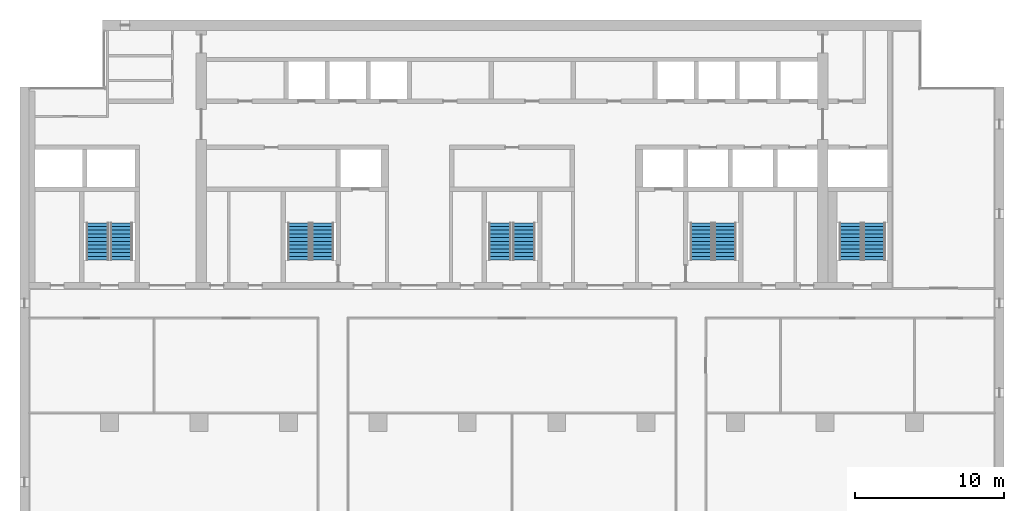
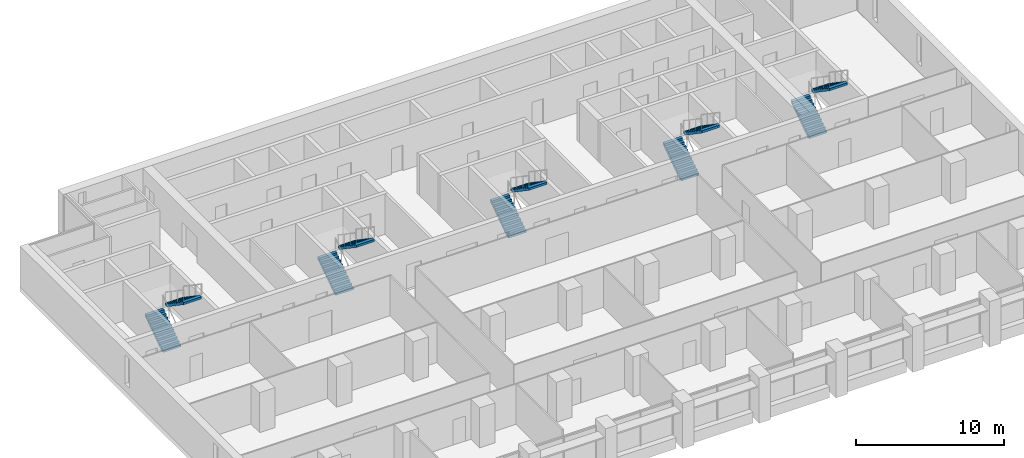
# One storey, part 13 of 17: 10 stair flights, 5 elements without a shape of their own.
"""IFC4 building model written with IfcOpenShell, lengths in metres."""

from ifc_helpers import new_model, si_unit, direction, frame, origin, place, context, subcontext, project, spatial, polyline, outline, extrude, material, type_object, element, aggregate, save


model = new_model("IFC4")

# Units and contexts
model_context = context("Model", 3, precision=1e-05, world=origin(), true_north=direction((0.0, 1.0)))
body_context = subcontext(model_context, "Body", "Model", "MODEL_VIEW")
ifc_project = project(units=[si_unit("LENGTHUNIT", "METRE"), si_unit("AREAUNIT", "SQUARE_METRE"), si_unit("VOLUMEUNIT", "CUBIC_METRE"), si_unit("PLANEANGLEUNIT", "RADIAN"), si_unit("MASSUNIT", "GRAM", prefix="KILO")], contexts=[model_context])

# Site, building, storey
site_placement = place(None, origin())
site = spatial("IfcSite", under=ifc_project, at=site_placement, CompositionType="ELEMENT")
building_placement = place(site_placement, origin())
building = spatial("IfcBuilding", under=site, at=building_placement, Name="Calvaro Tower", CompositionType="ELEMENT")
storey_placement = place(building_placement, frame((0.0, 0.0, 174.25)))
storey = spatial("IfcBuildingStorey", under=building, at=storey_placement, Name="L43", CompositionType="ELEMENT", Elevation=174.25)

# Stair, stair flights
ifc_material_1 = material(Name="Concrete C40/50", Category="concrete")
stair_type = type_object("IfcStairType", Name="Exit stair 1400 2 flights", PredefinedType="HALF_TURN_STAIR", material=ifc_material_1)
stair_1_placement = place(storey_placement, origin())
stair_1 = element("IfcStair", 1, at=stair_1_placement, inside=storey, type_object=stair_type, Name="Exit stair S1", PredefinedType="HALF_TURN_STAIR")
ifc_material_2 = material(Name="Concrete C40/50", Category="concrete")
stair_flight_type = type_object("IfcStairFlightType", Name="Stair flight", PredefinedType="STRAIGHT", material=ifc_material_2)
stair_flight_1_placement = place(storey_placement, frame((11.199951171875, 29.89990234375, 0.0), z_axis=(0.0, 0.0, 1.0), x_axis=(0.0, 1.0, 0.0)))
stair_flight_1 = element("IfcStairFlight", 2, at=stair_flight_1_placement, type_object=stair_flight_type, Name="Exit stair 1, flight 1", NumberOfRisers=11, NumberOfTreads=10, PredefinedType="STRAIGHT", RiserHeight=0.170454545, TreadLength=0.25, context=body_context, shape_type="SweptSolid", body=[
    extrude(outline(polyline([(0.0, 0.0), (0.0, 0.17041015625), (0.25, 0.17041015625), (0.25, 0.3408203125), (0.5, 0.3408203125), (0.5, 0.511474609375), (0.75, 0.511474609375), (0.75, 0.681884765625), (1.0, 0.681884765625), (1.0, 0.852294921875), (1.25, 0.852294921875), (1.25, 1.022705078125), (1.5, 1.022705078125), (1.5, 1.193115234375), (1.75, 1.193115234375), (1.75, 1.363525390625), (2.0, 1.363525390625), (2.0, 1.5341796875), (2.25, 1.5341796875), (2.25, 1.70458984375), (2.5, 1.70458984375), (2.5, 1.875), (2.5, 1.523193359375), (0.26611328125, 0.0), (0.0, 0.0)])), frame((0.0, 0.699951171875, 0.0), z_axis=(0.0, -1.0, 0.0), x_axis=(1.0, 0.0, 0.0)), (0.0, 0.0, 1.0), 1.39990234375),
])
stair_flight_2_placement = place(storey_placement, frame((12.800048828125, 32.39990234375, 1.875), z_axis=(0.0, 0.0, 1.0), x_axis=(0.0, -1.0, 0.0)))
stair_flight_2 = element("IfcStairFlight", 3, at=stair_flight_2_placement, type_object=stair_flight_type, Name="Exit stair 1, flight 2", NumberOfRisers=11, NumberOfTreads=10, PredefinedType="STRAIGHT", RiserHeight=0.170454545, TreadLength=0.25, context=body_context, shape_type="SweptSolid", body=[
    extrude(outline(polyline([(0.0, 0.0), (0.0, 0.17041015625), (0.25, 0.17041015625), (0.25, 0.3408203125), (0.5, 0.3408203125), (0.5, 0.511474609375), (0.75, 0.511474609375), (0.75, 0.681884765625), (1.0, 0.681884765625), (1.0, 0.852294921875), (1.25, 0.852294921875), (1.25, 1.022705078125), (1.5, 1.022705078125), (1.5, 1.193115234375), (1.75, 1.193115234375), (1.75, 1.363525390625), (2.0, 1.363525390625), (2.0, 1.5341796875), (2.25, 1.5341796875), (2.25, 1.70458984375), (2.5, 1.70458984375), (2.5, 1.875), (2.5, 1.523193359375), (0.26611328125, 0.0), (0.0, 0.0)])), frame((0.0, 0.699951171875, 0.0), z_axis=(0.0, -1.0, 0.0), x_axis=(1.0, 0.0, 0.0)), (0.0, 0.0, 1.0), 1.39990234375),
])
aggregate(stair_1, [stair_flight_1, stair_flight_2])

stair_2_placement = place(storey_placement, origin())
stair_2 = element("IfcStair", 4, at=stair_2_placement, inside=storey, type_object=stair_type, Name="Exit stair S2", PredefinedType="HALF_TURN_STAIR")
stair_flight_3_placement = place(storey_placement, frame((24.699951171875, 29.89990234375, 0.0), z_axis=(0.0, 0.0, 1.0), x_axis=(0.0, 1.0, 0.0)))
stair_flight_3 = element("IfcStairFlight", 5, at=stair_flight_3_placement, type_object=stair_flight_type, Name="Exit stair 2, flight 1", NumberOfRisers=11, NumberOfTreads=10, PredefinedType="STRAIGHT", RiserHeight=0.170454545, TreadLength=0.25, context=body_context, shape_type="SweptSolid", body=[
    extrude(outline(polyline([(0.0, 0.0), (0.0, 0.17041015625), (0.25, 0.17041015625), (0.25, 0.3408203125), (0.5, 0.3408203125), (0.5, 0.511474609375), (0.75, 0.511474609375), (0.75, 0.681884765625), (1.0, 0.681884765625), (1.0, 0.852294921875), (1.25, 0.852294921875), (1.25, 1.022705078125), (1.5, 1.022705078125), (1.5, 1.193115234375), (1.75, 1.193115234375), (1.75, 1.363525390625), (2.0, 1.363525390625), (2.0, 1.5341796875), (2.25, 1.5341796875), (2.25, 1.70458984375), (2.5, 1.70458984375), (2.5, 1.875), (2.5, 1.523193359375), (0.26611328125, 0.0), (0.0, 0.0)])), frame((0.0, 0.699951171875, 0.0), z_axis=(0.0, -1.0, 0.0), x_axis=(1.0, 0.0, 0.0)), (0.0, 0.0, 1.0), 1.39990234375),
])
stair_flight_4_placement = place(storey_placement, frame((26.300048828125, 32.39990234375, 1.875), z_axis=(0.0, 0.0, 1.0), x_axis=(0.0, -1.0, 0.0)))
stair_flight_4 = element("IfcStairFlight", 6, at=stair_flight_4_placement, type_object=stair_flight_type, Name="Exit stair 2, flight 2", NumberOfRisers=11, NumberOfTreads=10, PredefinedType="STRAIGHT", RiserHeight=0.170454545, TreadLength=0.25, context=body_context, shape_type="SweptSolid", body=[
    extrude(outline(polyline([(0.0, 0.0), (0.0, 0.17041015625), (0.25, 0.17041015625), (0.25, 0.3408203125), (0.5, 0.3408203125), (0.5, 0.511474609375), (0.75, 0.511474609375), (0.75, 0.681884765625), (1.0, 0.681884765625), (1.0, 0.852294921875), (1.25, 0.852294921875), (1.25, 1.022705078125), (1.5, 1.022705078125), (1.5, 1.193115234375), (1.75, 1.193115234375), (1.75, 1.363525390625), (2.0, 1.363525390625), (2.0, 1.5341796875), (2.25, 1.5341796875), (2.25, 1.70458984375), (2.5, 1.70458984375), (2.5, 1.875), (2.5, 1.523193359375), (0.26611328125, 0.0), (0.0, 0.0)])), frame((0.0, 0.699951171875, 0.0), z_axis=(0.0, -1.0, 0.0), x_axis=(1.0, 0.0, 0.0)), (0.0, 0.0, 1.0), 1.39990234375),
])
aggregate(stair_2, [stair_flight_3, stair_flight_4])

stair_3_placement = place(storey_placement, origin())
stair_3 = element("IfcStair", 7, at=stair_3_placement, inside=storey, type_object=stair_type, Name="Exit stair S3", PredefinedType="HALF_TURN_STAIR")
stair_flight_5_placement = place(storey_placement, frame((38.199951171875, 29.89990234375, 0.0), z_axis=(0.0, 0.0, 1.0), x_axis=(0.0, 1.0, 0.0)))
stair_flight_5 = element("IfcStairFlight", 8, at=stair_flight_5_placement, type_object=stair_flight_type, Name="Exit stair 3, flight 1", NumberOfRisers=11, NumberOfTreads=10, PredefinedType="STRAIGHT", RiserHeight=0.170454545, TreadLength=0.25, context=body_context, shape_type="SweptSolid", body=[
    extrude(outline(polyline([(0.0, 0.0), (0.0, 0.17041015625), (0.25, 0.17041015625), (0.25, 0.3408203125), (0.5, 0.3408203125), (0.5, 0.511474609375), (0.75, 0.511474609375), (0.75, 0.681884765625), (1.0, 0.681884765625), (1.0, 0.852294921875), (1.25, 0.852294921875), (1.25, 1.022705078125), (1.5, 1.022705078125), (1.5, 1.193115234375), (1.75, 1.193115234375), (1.75, 1.363525390625), (2.0, 1.363525390625), (2.0, 1.5341796875), (2.25, 1.5341796875), (2.25, 1.70458984375), (2.5, 1.70458984375), (2.5, 1.875), (2.5, 1.523193359375), (0.26611328125, 0.0), (0.0, 0.0)])), frame((0.0, 0.699951171875, 0.0), z_axis=(0.0, -1.0, 0.0), x_axis=(1.0, 0.0, 0.0)), (0.0, 0.0, 1.0), 1.39990234375),
])
stair_flight_6_placement = place(storey_placement, frame((39.800048828125, 32.39990234375, 1.875), z_axis=(0.0, 0.0, 1.0), x_axis=(0.0, -1.0, 0.0)))
stair_flight_6 = element("IfcStairFlight", 9, at=stair_flight_6_placement, type_object=stair_flight_type, Name="Exit stair 3, flight 2", NumberOfRisers=11, NumberOfTreads=10, PredefinedType="STRAIGHT", RiserHeight=0.170454545, TreadLength=0.25, context=body_context, shape_type="SweptSolid", body=[
    extrude(outline(polyline([(0.0, 0.0), (0.0, 0.17041015625), (0.25, 0.17041015625), (0.25, 0.3408203125), (0.5, 0.3408203125), (0.5, 0.511474609375), (0.75, 0.511474609375), (0.75, 0.681884765625), (1.0, 0.681884765625), (1.0, 0.852294921875), (1.25, 0.852294921875), (1.25, 1.022705078125), (1.5, 1.022705078125), (1.5, 1.193115234375), (1.75, 1.193115234375), (1.75, 1.363525390625), (2.0, 1.363525390625), (2.0, 1.5341796875), (2.25, 1.5341796875), (2.25, 1.70458984375), (2.5, 1.70458984375), (2.5, 1.875), (2.5, 1.523193359375), (0.26611328125, 0.0), (0.0, 0.0)])), frame((0.0, 0.699951171875, 0.0), z_axis=(0.0, -1.0, 0.0), x_axis=(1.0, 0.0, 0.0)), (0.0, 0.0, 1.0), 1.39990234375),
])
aggregate(stair_3, [stair_flight_5, stair_flight_6])

stair_4_placement = place(storey_placement, origin())
stair_4 = element("IfcStair", 10, at=stair_4_placement, inside=storey, type_object=stair_type, Name="Exit stair S4", PredefinedType="HALF_TURN_STAIR")
stair_flight_7_placement = place(storey_placement, frame((51.699951171875, 29.89990234375, 0.0), z_axis=(0.0, 0.0, 1.0), x_axis=(0.0, 1.0, 0.0)))
stair_flight_7 = element("IfcStairFlight", 11, at=stair_flight_7_placement, type_object=stair_flight_type, Name="Exit stair 4, flight 1", NumberOfRisers=11, NumberOfTreads=10, PredefinedType="STRAIGHT", RiserHeight=0.170454545, TreadLength=0.25, context=body_context, shape_type="SweptSolid", body=[
    extrude(outline(polyline([(0.0, 0.0), (0.0, 0.17041015625), (0.25, 0.17041015625), (0.25, 0.3408203125), (0.5, 0.3408203125), (0.5, 0.511474609375), (0.75, 0.511474609375), (0.75, 0.681884765625), (1.0, 0.681884765625), (1.0, 0.852294921875), (1.25, 0.852294921875), (1.25, 1.022705078125), (1.5, 1.022705078125), (1.5, 1.193115234375), (1.75, 1.193115234375), (1.75, 1.363525390625), (2.0, 1.363525390625), (2.0, 1.5341796875), (2.25, 1.5341796875), (2.25, 1.70458984375), (2.5, 1.70458984375), (2.5, 1.875), (2.5, 1.523193359375), (0.26611328125, 0.0), (0.0, 0.0)])), frame((0.0, 0.699951171875, 0.0), z_axis=(0.0, -1.0, 0.0), x_axis=(1.0, 0.0, 0.0)), (0.0, 0.0, 1.0), 1.39990234375),
])
stair_flight_8_placement = place(storey_placement, frame((53.300048828125, 32.39990234375, 1.875), z_axis=(0.0, 0.0, 1.0), x_axis=(0.0, -1.0, 0.0)))
stair_flight_8 = element("IfcStairFlight", 12, at=stair_flight_8_placement, type_object=stair_flight_type, Name="Exit stair 4, flight 2", NumberOfRisers=11, NumberOfTreads=10, PredefinedType="STRAIGHT", RiserHeight=0.170454545, TreadLength=0.25, context=body_context, shape_type="SweptSolid", body=[
    extrude(outline(polyline([(0.0, 0.0), (0.0, 0.17041015625), (0.25, 0.17041015625), (0.25, 0.3408203125), (0.5, 0.3408203125), (0.5, 0.511474609375), (0.75, 0.511474609375), (0.75, 0.681884765625), (1.0, 0.681884765625), (1.0, 0.852294921875), (1.25, 0.852294921875), (1.25, 1.022705078125), (1.5, 1.022705078125), (1.5, 1.193115234375), (1.75, 1.193115234375), (1.75, 1.363525390625), (2.0, 1.363525390625), (2.0, 1.5341796875), (2.25, 1.5341796875), (2.25, 1.70458984375), (2.5, 1.70458984375), (2.5, 1.875), (2.5, 1.523193359375), (0.26611328125, 0.0), (0.0, 0.0)])), frame((0.0, 0.699951171875, 0.0), z_axis=(0.0, -1.0, 0.0), x_axis=(1.0, 0.0, 0.0)), (0.0, 0.0, 1.0), 1.39990234375),
])
aggregate(stair_4, [stair_flight_7, stair_flight_8])

stair_5_placement = place(storey_placement, origin())
stair_5 = element("IfcStair", 13, at=stair_5_placement, inside=storey, type_object=stair_type, Name="Exit stair S5", PredefinedType="HALF_TURN_STAIR")
stair_flight_9_placement = place(storey_placement, frame((61.699951171875, 29.89990234375, 0.0), z_axis=(0.0, 0.0, 1.0), x_axis=(0.0, 1.0, 0.0)))
stair_flight_9 = element("IfcStairFlight", 14, at=stair_flight_9_placement, type_object=stair_flight_type, Name="Exit stair 5, flight 1", NumberOfRisers=11, NumberOfTreads=10, PredefinedType="STRAIGHT", RiserHeight=0.170454545, TreadLength=0.25, context=body_context, shape_type="SweptSolid", body=[
    extrude(outline(polyline([(0.0, 0.0), (0.0, 0.17041015625), (0.25, 0.17041015625), (0.25, 0.3408203125), (0.5, 0.3408203125), (0.5, 0.511474609375), (0.75, 0.511474609375), (0.75, 0.681884765625), (1.0, 0.681884765625), (1.0, 0.852294921875), (1.25, 0.852294921875), (1.25, 1.022705078125), (1.5, 1.022705078125), (1.5, 1.193115234375), (1.75, 1.193115234375), (1.75, 1.363525390625), (2.0, 1.363525390625), (2.0, 1.5341796875), (2.25, 1.5341796875), (2.25, 1.70458984375), (2.5, 1.70458984375), (2.5, 1.875), (2.5, 1.523193359375), (0.26611328125, 0.0), (0.0, 0.0)])), frame((0.0, 0.699951171875, 0.0), z_axis=(0.0, -1.0, 0.0), x_axis=(1.0, 0.0, 0.0)), (0.0, 0.0, 1.0), 1.39990234375),
])
stair_flight_10_placement = place(storey_placement, frame((63.300048828125, 32.39990234375, 1.875), z_axis=(0.0, 0.0, 1.0), x_axis=(0.0, -1.0, 0.0)))
stair_flight_10 = element("IfcStairFlight", 15, at=stair_flight_10_placement, type_object=stair_flight_type, Name="Exit stair 5, flight 2", NumberOfRisers=11, NumberOfTreads=10, PredefinedType="STRAIGHT", RiserHeight=0.170454545, TreadLength=0.25, context=body_context, shape_type="SweptSolid", body=[
    extrude(outline(polyline([(0.0, 0.0), (0.0, 0.17041015625), (0.25, 0.17041015625), (0.25, 0.3408203125), (0.5, 0.3408203125), (0.5, 0.511474609375), (0.75, 0.511474609375), (0.75, 0.681884765625), (1.0, 0.681884765625), (1.0, 0.852294921875), (1.25, 0.852294921875), (1.25, 1.022705078125), (1.5, 1.022705078125), (1.5, 1.193115234375), (1.75, 1.193115234375), (1.75, 1.363525390625), (2.0, 1.363525390625), (2.0, 1.5341796875), (2.25, 1.5341796875), (2.25, 1.70458984375), (2.5, 1.70458984375), (2.5, 1.875), (2.5, 1.523193359375), (0.26611328125, 0.0), (0.0, 0.0)])), frame((0.0, 0.699951171875, 0.0), z_axis=(0.0, -1.0, 0.0), x_axis=(1.0, 0.0, 0.0)), (0.0, 0.0, 1.0), 1.39990234375),
])
aggregate(stair_5, [stair_flight_9, stair_flight_10])

save(model, "model.ifc")
